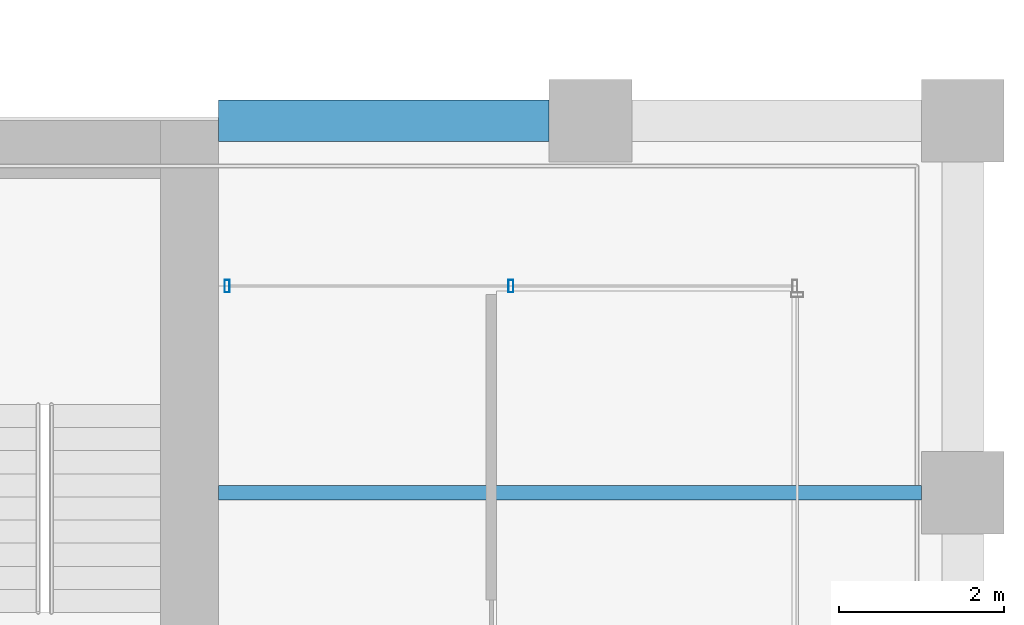
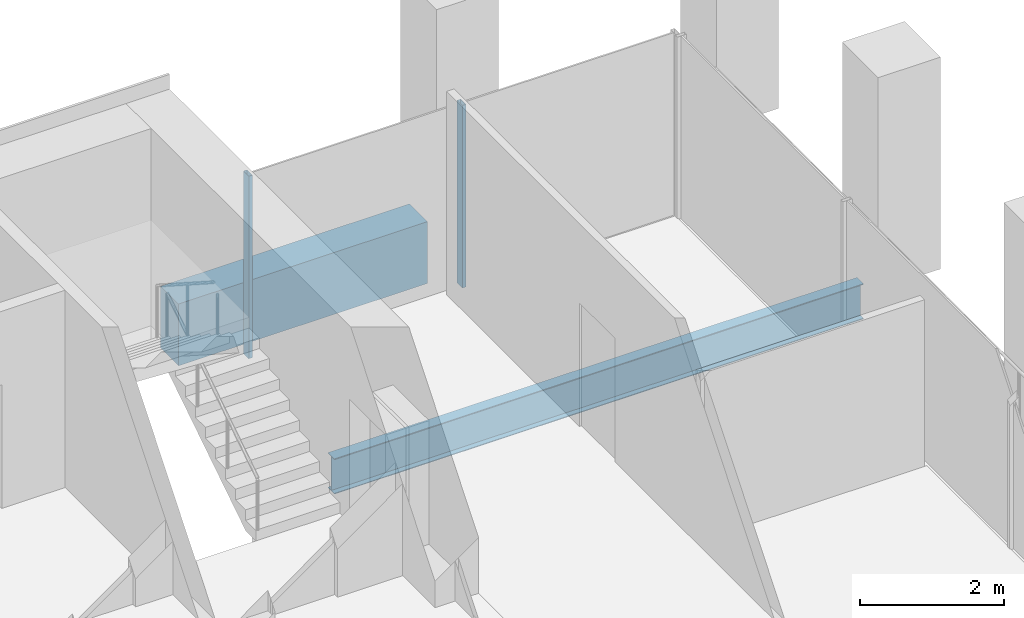
# One storey, part 36 of 46: 2 beams, 2 members, 1 element without a shape of its own.
"""IFC4 building model written with IfcOpenShell, lengths in metres."""

from ifc_helpers import new_model, si_unit, direction, frame, origin, origin_2d, place, context, subcontext, project, spatial, rectangle, hollow_rectangle, i_section, extrude, material, material_profile, profile_set, type_object, element, aggregate, save


model = new_model("IFC4")

# Units and contexts
model_context = context("Model", 3, precision=1e-05, world=origin(), true_north=direction((0.0, 1.0)))
body_context = subcontext(model_context, "Body", "Model", "MODEL_VIEW")
ifc_project = project(units=[si_unit("LENGTHUNIT", "METRE"), si_unit("AREAUNIT", "SQUARE_METRE"), si_unit("VOLUMEUNIT", "CUBIC_METRE"), si_unit("PLANEANGLEUNIT", "RADIAN"), si_unit("MASSUNIT", "GRAM", prefix="KILO")], contexts=[model_context])

# Site, building, storey
site_placement = place(None, origin())
site = spatial("IfcSite", under=ifc_project, at=site_placement, CompositionType="ELEMENT")
building_placement = place(site_placement, origin())
building = spatial("IfcBuilding", under=site, at=building_placement, Name="Altepetl Exchange Towers", CompositionType="ELEMENT")
storey_placement = place(building_placement, frame((0.0, 0.0, 124.39990234375)))
storey = spatial("IfcBuildingStorey", under=building, at=storey_placement, Name="L30", CompositionType="ELEMENT", Elevation=124.39990234375)

# Beam
ifc_material_1 = material(Name="Steel S355", Category="steel")
ifc_material_profile_1 = material_profile(ifc_material_1, i_section(OverallWidth=0.177978515625, OverallDepth=0.59912109375, WebThickness=0.010009765625, FlangeThickness=0.0126953125, at=origin_2d()), Name="W24X55")
ifc_profile_set_1 = profile_set([ifc_material_profile_1], Name="Steel S355")
beam_type_1 = type_object("IfcBeamType", Name="Floor beam W24X55", PredefinedType="BEAM", material=ifc_profile_set_1)
beam_1_placement = place(storey_placement, frame((117.0, 45.0, -0.449462890625), z_axis=(1.0, 0.0, 0.0), x_axis=(0.0, 1.0, 0.0)))
element("IfcBeam", 1, at=beam_1_placement, inside=storey, type_object=beam_type_1, Name="bm:B:L30:003", PredefinedType="BEAM", context=body_context, shape_type="SweptSolid", body=[
    extrude(i_section(OverallWidth=0.177978515625, OverallDepth=0.59912109375, WebThickness=0.010009765625, FlangeThickness=0.0126953125, at=origin_2d()), origin(), (0.0, 0.0, 1.0), 8.5),
])

# Curtain wall, members
ifc_material_2 = material(Name="Aluminium 6063-T6 glazing", Category="aluminium")
curtain_wall_type = type_object("IfcCurtainWallType", Name="Loggia glazing system", PredefinedType="NOTDEFINED", material=ifc_material_2)
curtain_wall_placement = place(storey_placement, origin())
curtain_wall = element("IfcCurtainWall", 2, at=curtain_wall_placement, inside=storey, type_object=curtain_wall_type, Name="CW1 run", PredefinedType="NOTDEFINED")
ifc_material_3 = material(Name="Aluminium 6063-T6", Category="aluminium")
ifc_material_profile_2 = material_profile(ifc_material_3, hollow_rectangle(XDim=0.06005859375, YDim=0.14990234375, WallThickness=0.0029296875, at=origin_2d()), Name="Mullion 60x150 aluminium")
ifc_profile_set_2 = profile_set([ifc_material_profile_2], Name="Aluminium 6063-T6")
member_type = type_object("IfcMemberType", Name="Mullion 60x150 aluminium", PredefinedType="MULLION", material=ifc_profile_set_2)
member_1_placement = place(storey_placement, frame((120.53759765625, 47.5, 0.0), z_axis=(0.0, 0.0, 1.0), x_axis=(-1.0, 0.0, 0.0)))
member_1 = element("IfcMember", 3, at=member_1_placement, type_object=member_type, Name="MU1 mullion", PredefinedType="MULLION", context=body_context, shape_type="SweptSolid", body=[
    extrude(hollow_rectangle(XDim=0.06005859375, YDim=0.14990234375, WallThickness=0.0029296875, at=origin_2d()), origin(), (0.0, 0.0, 1.0), 3.10009765625),
])
member_2_placement = place(storey_placement, frame((117.10498046875, 47.5, 0.0), z_axis=(0.0, 0.0, 1.0), x_axis=(-1.0, 0.0, 0.0)))
member_2 = element("IfcMember", 4, at=member_2_placement, type_object=member_type, Name="MU1 mullion", PredefinedType="MULLION", context=body_context, shape_type="SweptSolid", body=[
    extrude(hollow_rectangle(XDim=0.06005859375, YDim=0.14990234375, WallThickness=0.0029296875, at=origin_2d()), origin(), (0.0, 0.0, 1.0), 3.10009765625),
])
aggregate(curtain_wall, [member_1, member_2])

# Beam
ifc_material_4 = material(Name="Concrete C50/60 precast with cantera amarilla facing", Category="concrete")
ifc_material_profile_3 = material_profile(ifc_material_4, rectangle(XDim=0.5, YDim=1.050048828125, at=origin_2d()), Name="500 x 1050")
ifc_profile_set_3 = profile_set([ifc_material_profile_3], Name="Concrete C50/60 precast with cantera amarilla facing")
beam_type_2 = type_object("IfcBeamType", Name="Spandrel beam 500x1050 cantera amarilla", PredefinedType="SPANDREL", material=ifc_profile_set_3)
beam_2_placement = place(storey_placement, frame((121.0, 49.5, -0.6748046875), z_axis=(-1.0, 0.0, 0.0), x_axis=(0.0, -1.0, 0.0)))
element("IfcBeam", 5, at=beam_2_placement, inside=storey, type_object=beam_type_2, Name="sp:B:L30:014", PredefinedType="SPANDREL", context=body_context, shape_type="SweptSolid", body=[
    extrude(rectangle(XDim=0.5, YDim=1.050048828125, at=origin_2d()), origin(), (0.0, 0.0, 1.0), 4.0),
])

save(model, "model.ifc")
